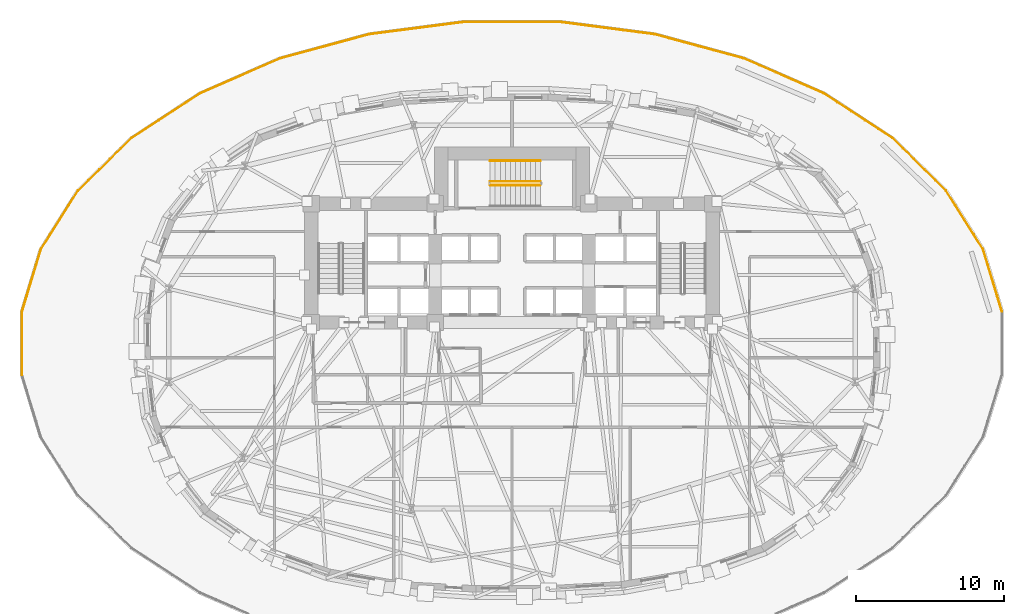
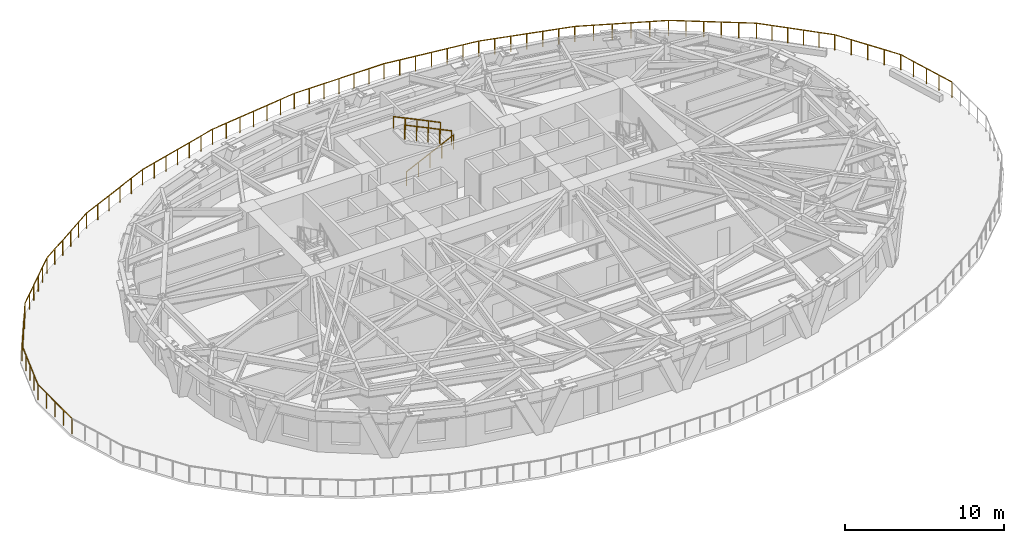
# One storey, part 12 of 14: 4 railings.
"""IFC4 building model written with IfcOpenShell, lengths in metres."""

from ifc_helpers import new_model, si_unit, direction, frame, origin, origin_2d, place, context, subcontext, project, spatial, circle, extrude, material, type_object, element, save


model = new_model("IFC4")

# Units and contexts
model_context = context("Model", 3, precision=1e-05, world=origin(), true_north=direction((0.0, 1.0)))
body_context = subcontext(model_context, "Body", "Model", "MODEL_VIEW")
ifc_project = project(units=[si_unit("LENGTHUNIT", "METRE"), si_unit("AREAUNIT", "SQUARE_METRE"), si_unit("VOLUMEUNIT", "CUBIC_METRE"), si_unit("PLANEANGLEUNIT", "RADIAN"), si_unit("MASSUNIT", "GRAM", prefix="KILO")], contexts=[model_context])

# Site, building, storey
site_placement = place(None, origin())
site = spatial("IfcSite", under=ifc_project, at=site_placement, CompositionType="ELEMENT")
building_placement = place(site_placement, origin())
building = spatial("IfcBuilding", under=site, at=building_placement, Name="Keldmark Tower", CompositionType="ELEMENT")
storey_placement = place(building_placement, frame((0.0, 0.0, 27.0)))
storey = spatial("IfcBuildingStorey", under=building, at=storey_placement, Name="L06", CompositionType="ELEMENT", Elevation=27.0)

# Railings
ifc_material_1 = material(Name="DuPont SentryGlas Laminated Glass and Stainless Posts", Category="glass")
railing_type_1 = type_object("IfcRailingType", Name="Heated Laminated Glass Wind-Baffle Guard 1200 mm", PredefinedType="GUARDRAIL", material=ifc_material_1)
railing_1_placement = place(storey_placement, frame((33.198974609375, 2.1474609375, 0.0)))
element("IfcRailing", 1, at=railing_1_placement, inside=storey, type_object=railing_type_1, Name="L06 Terrace Laminated Glass Wind-Baffle Guard POD-TERR 01", PredefinedType="GUARDRAIL", context=body_context, shape_type="SweptSolid", body=[
    extrude(circle(Radius=0.02392578125, at=origin_2d()), frame((0.0, 0.0, 1.17578125), z_axis=(-0.290552345418, 0.956859098599, 0.0), x_axis=(-0.956859098599, -0.290552345418, 0.0)), (0.0, 0.0, 1.0), 4.4013671875),
    extrude(circle(Radius=0.02392578125, at=origin_2d()), frame((-1.27880859375, 4.21142578125, 1.17578125), z_axis=(-0.534509744285, 0.845162311787, 0.0), x_axis=(-0.845162311787, -0.534509744285, 0.0)), (0.0, 0.0, 1.0), 4.69189453125),
    extrude(circle(Radius=0.02392578125, at=origin_2d()), frame((-3.78662109375, 8.1767578125, 1.17578125), z_axis=(-0.714280857762, 0.699859168858, 0.0), x_axis=(-0.699859168858, -0.714280857762, 0.0)), (0.0, 0.0, 1.0), 5.095458984375),
    extrude(circle(Radius=0.02392578125, at=origin_2d()), frame((-7.42626953125, 11.742919921875, 1.17578125), z_axis=(-0.83687942213, 0.547387278639, 0.0), x_axis=(-0.547387278639, -0.83687942213, 0.0)), (0.0, 0.0, 1.0), 5.5322265625),
    extrude(circle(Radius=0.02392578125, at=origin_2d()), frame((-12.05615234375, 14.771240234375, 1.17578125), z_axis=(-0.916451629486, 0.400145487057, 0.0), x_axis=(-0.400145487057, -0.916451629486, 0.0)), (0.0, 0.0, 1.0), 5.935302734375),
    extrude(circle(Radius=0.02392578125, at=origin_2d()), frame((-17.49560546875, 17.146240234375, 1.17578125), z_axis=(-0.96536126714, 0.260916890803, 0.0), x_axis=(-0.260916890803, -0.96536126714, 0.0)), (0.0, 0.0, 1.0), 6.254150390625),
    extrude(circle(Radius=0.02392578125, at=origin_2d()), frame((-23.533203125, 18.778076171875, 1.17578125), z_axis=(-0.991701524663, 0.128561603838, 0.0), x_axis=(-0.128561603838, -0.991701524663, 0.0)), (0.0, 0.0, 1.0), 6.45654296875),
    extrude(circle(Radius=0.02392578125, at=origin_2d()), frame((-29.936279296875, 19.608154296875, 1.17578125), z_axis=(-1.0, 0.0, 0.0), x_axis=(0.0, -1.0, 0.0)), (0.0, 0.0, 1.0), 6.525390625),
    extrude(circle(Radius=0.02392578125, at=origin_2d()), frame((-36.461669921875, 19.608154296875, 1.17578125), z_axis=(-0.991701524663, -0.128561603838, 0.0), x_axis=(0.128561603838, -0.991701524663, 0.0)), (0.0, 0.0, 1.0), 6.45654296875),
    extrude(circle(Radius=0.02392578125, at=origin_2d()), frame((-42.86474609375, 18.778076171875, 1.17578125), z_axis=(-0.96536126714, -0.260916890803, 0.0), x_axis=(0.260916890803, -0.96536126714, 0.0)), (0.0, 0.0, 1.0), 6.254150390625),
    extrude(circle(Radius=0.02392578125, at=origin_2d()), frame((-48.90234375, 17.146240234375, 1.17578125), z_axis=(-0.916451629486, -0.400145487057, 0.0), x_axis=(0.400145487057, -0.916451629486, 0.0)), (0.0, 0.0, 1.0), 5.935302734375),
    extrude(circle(Radius=0.02392578125, at=origin_2d()), frame((-54.341796875, 14.771240234375, 1.17578125), z_axis=(-0.83687942213, -0.547387278639, 0.0), x_axis=(0.547387278639, -0.83687942213, 0.0)), (0.0, 0.0, 1.0), 5.5322265625),
    extrude(circle(Radius=0.02392578125, at=origin_2d()), frame((-58.9716796875, 11.742919921875, 1.17578125), z_axis=(-0.714280857762, -0.699859168858, 0.0), x_axis=(0.699859168858, -0.714280857762, 0.0)), (0.0, 0.0, 1.0), 5.095458984375),
    extrude(circle(Radius=0.02392578125, at=origin_2d()), frame((-62.611328125, 8.1767578125, 1.17578125), z_axis=(-0.534509744285, -0.845162311787, 0.0), x_axis=(0.845162311787, -0.534509744285, 0.0)), (0.0, 0.0, 1.0), 4.69189453125),
    extrude(circle(Radius=0.02392578125, at=origin_2d()), frame((-65.119140625, 4.21142578125, 1.17578125), z_axis=(-0.290552345418, -0.956859098599, 0.0), x_axis=(0.956859098599, -0.290552345418, 0.0)), (0.0, 0.0, 1.0), 4.4013671875),
    extrude(circle(Radius=0.02392578125, at=origin_2d()), frame((-66.39794921875, 0.0, 1.17578125), z_axis=(0.0, -1.0, 0.0), x_axis=(1.0, 0.0, 0.0)), (0.0, 0.0, 1.0), 4.294921875),
    extrude(circle(Radius=0.02099609375, at=origin_2d()), origin(), (0.0, 0.0, 1.0), 1.15185546875),
    extrude(circle(Radius=0.02099609375, at=origin_2d()), frame((-0.31982421875, 1.052734375, 0.0)), (0.0, 0.0, 1.0), 1.15185546875),
    extrude(circle(Radius=0.02099609375, at=origin_2d()), frame((-0.639404296875, 2.105712890625, 0.0)), (0.0, 0.0, 1.0), 1.15185546875),
    extrude(circle(Radius=0.02099609375, at=origin_2d()), frame((-0.958984375, 3.15869140625, 0.0)), (0.0, 0.0, 1.0), 1.15185546875),
    extrude(circle(Radius=0.02099609375, at=origin_2d()), frame((-1.27880859375, 4.21142578125, 0.0)), (0.0, 0.0, 1.0), 1.15185546875),
    extrude(circle(Radius=0.02099609375, at=origin_2d()), frame((-1.90576171875, 5.20263671875, 0.0)), (0.0, 0.0, 1.0), 1.15185546875),
    extrude(circle(Radius=0.02099609375, at=origin_2d()), frame((-2.53271484375, 6.194091796875, 0.0)), (0.0, 0.0, 1.0), 1.15185546875),
    extrude(circle(Radius=0.02099609375, at=origin_2d()), frame((-3.15966796875, 7.185546875, 0.0)), (0.0, 0.0, 1.0), 1.15185546875),
    extrude(circle(Radius=0.02099609375, at=origin_2d()), frame((-3.78662109375, 8.1767578125, 0.0)), (0.0, 0.0, 1.0), 1.15185546875),
    extrude(circle(Radius=0.02099609375, at=origin_2d()), frame((-4.5146484375, 8.889892578125, 0.0)), (0.0, 0.0, 1.0), 1.15185546875),
    extrude(circle(Radius=0.02099609375, at=origin_2d()), frame((-5.242431640625, 9.603271484375, 0.0)), (0.0, 0.0, 1.0), 1.15185546875),
    extrude(circle(Radius=0.02099609375, at=origin_2d()), frame((-5.970458984375, 10.31640625, 0.0)), (0.0, 0.0, 1.0), 1.15185546875),
    extrude(circle(Radius=0.02099609375, at=origin_2d()), frame((-6.6982421875, 11.02978515625, 0.0)), (0.0, 0.0, 1.0), 1.15185546875),
    extrude(circle(Radius=0.02099609375, at=origin_2d()), frame((-7.42626953125, 11.742919921875, 0.0)), (0.0, 0.0, 1.0), 1.15185546875),
    extrude(circle(Radius=0.02099609375, at=origin_2d()), frame((-8.352294921875, 12.3486328125, 0.0)), (0.0, 0.0, 1.0), 1.15185546875),
    extrude(circle(Radius=0.02099609375, at=origin_2d()), frame((-9.2783203125, 12.954345703125, 0.0)), (0.0, 0.0, 1.0), 1.15185546875),
    extrude(circle(Radius=0.02099609375, at=origin_2d()), frame((-10.2041015625, 13.559814453125, 0.0)), (0.0, 0.0, 1.0), 1.15185546875),
    extrude(circle(Radius=0.02099609375, at=origin_2d()), frame((-11.130126953125, 14.16552734375, 0.0)), (0.0, 0.0, 1.0), 1.15185546875),
    extrude(circle(Radius=0.02099609375, at=origin_2d()), frame((-12.05615234375, 14.771240234375, 0.0)), (0.0, 0.0, 1.0), 1.15185546875),
    extrude(circle(Radius=0.02099609375, at=origin_2d()), frame((-13.14404296875, 15.246337890625, 0.0)), (0.0, 0.0, 1.0), 1.15185546875),
    extrude(circle(Radius=0.02099609375, at=origin_2d()), frame((-14.23193359375, 15.72119140625, 0.0)), (0.0, 0.0, 1.0), 1.15185546875),
    extrude(circle(Radius=0.02099609375, at=origin_2d()), frame((-15.31982421875, 16.1962890625, 0.0)), (0.0, 0.0, 1.0), 1.15185546875),
    extrude(circle(Radius=0.02099609375, at=origin_2d()), frame((-16.40771484375, 16.671142578125, 0.0)), (0.0, 0.0, 1.0), 1.15185546875),
    extrude(circle(Radius=0.02099609375, at=origin_2d()), frame((-17.49560546875, 17.146240234375, 0.0)), (0.0, 0.0, 1.0), 1.15185546875),
    extrude(circle(Radius=0.02099609375, at=origin_2d()), frame((-18.501953125, 17.418212890625, 0.0)), (0.0, 0.0, 1.0), 1.15185546875),
    extrude(circle(Radius=0.02099609375, at=origin_2d()), frame((-19.508056640625, 17.690185546875, 0.0)), (0.0, 0.0, 1.0), 1.15185546875),
    extrude(circle(Radius=0.02099609375, at=origin_2d()), frame((-20.514404296875, 17.962158203125, 0.0)), (0.0, 0.0, 1.0), 1.15185546875),
    extrude(circle(Radius=0.02099609375, at=origin_2d()), frame((-21.520751953125, 18.234130859375, 0.0)), (0.0, 0.0, 1.0), 1.15185546875),
    extrude(circle(Radius=0.02099609375, at=origin_2d()), frame((-22.52685546875, 18.506103515625, 0.0)), (0.0, 0.0, 1.0), 1.15185546875),
    extrude(circle(Radius=0.02099609375, at=origin_2d()), frame((-23.533203125, 18.778076171875, 0.0)), (0.0, 0.0, 1.0), 1.15185546875),
    extrude(circle(Radius=0.02099609375, at=origin_2d()), frame((-24.600341796875, 18.91650390625, 0.0)), (0.0, 0.0, 1.0), 1.15185546875),
    extrude(circle(Radius=0.02099609375, at=origin_2d()), frame((-25.66748046875, 19.0546875, 0.0)), (0.0, 0.0, 1.0), 1.15185546875),
    extrude(circle(Radius=0.02099609375, at=origin_2d()), frame((-26.73486328125, 19.193115234375, 0.0)), (0.0, 0.0, 1.0), 1.15185546875),
    extrude(circle(Radius=0.02099609375, at=origin_2d()), frame((-27.802001953125, 19.33154296875, 0.0)), (0.0, 0.0, 1.0), 1.15185546875),
    extrude(circle(Radius=0.02099609375, at=origin_2d()), frame((-28.869140625, 19.4697265625, 0.0)), (0.0, 0.0, 1.0), 1.15185546875),
    extrude(circle(Radius=0.02099609375, at=origin_2d()), frame((-29.936279296875, 19.608154296875, 0.0)), (0.0, 0.0, 1.0), 1.15185546875),
    extrude(circle(Radius=0.02099609375, at=origin_2d()), frame((-31.02392578125, 19.608154296875, 0.0)), (0.0, 0.0, 1.0), 1.15185546875),
    extrude(circle(Radius=0.02099609375, at=origin_2d()), frame((-32.111328125, 19.608154296875, 0.0)), (0.0, 0.0, 1.0), 1.15185546875),
    extrude(circle(Radius=0.02099609375, at=origin_2d()), frame((-33.198974609375, 19.608154296875, 0.0)), (0.0, 0.0, 1.0), 1.15185546875),
    extrude(circle(Radius=0.02099609375, at=origin_2d()), frame((-34.28662109375, 19.608154296875, 0.0)), (0.0, 0.0, 1.0), 1.15185546875),
    extrude(circle(Radius=0.02099609375, at=origin_2d()), frame((-35.3740234375, 19.608154296875, 0.0)), (0.0, 0.0, 1.0), 1.15185546875),
    extrude(circle(Radius=0.02099609375, at=origin_2d()), frame((-36.461669921875, 19.608154296875, 0.0)), (0.0, 0.0, 1.0), 1.15185546875),
    extrude(circle(Radius=0.02099609375, at=origin_2d()), frame((-37.52880859375, 19.4697265625, 0.0)), (0.0, 0.0, 1.0), 1.15185546875),
    extrude(circle(Radius=0.02099609375, at=origin_2d()), frame((-38.595947265625, 19.33154296875, 0.0)), (0.0, 0.0, 1.0), 1.15185546875),
    extrude(circle(Radius=0.02099609375, at=origin_2d()), frame((-39.6630859375, 19.193115234375, 0.0)), (0.0, 0.0, 1.0), 1.15185546875),
    extrude(circle(Radius=0.02099609375, at=origin_2d()), frame((-40.73046875, 19.0546875, 0.0)), (0.0, 0.0, 1.0), 1.15185546875),
    extrude(circle(Radius=0.02099609375, at=origin_2d()), frame((-41.797607421875, 18.91650390625, 0.0)), (0.0, 0.0, 1.0), 1.15185546875),
    extrude(circle(Radius=0.02099609375, at=origin_2d()), frame((-42.86474609375, 18.778076171875, 0.0)), (0.0, 0.0, 1.0), 1.15185546875),
    extrude(circle(Radius=0.02099609375, at=origin_2d()), frame((-43.87109375, 18.506103515625, 0.0)), (0.0, 0.0, 1.0), 1.15185546875),
    extrude(circle(Radius=0.02099609375, at=origin_2d()), frame((-44.877197265625, 18.234130859375, 0.0)), (0.0, 0.0, 1.0), 1.15185546875),
    extrude(circle(Radius=0.02099609375, at=origin_2d()), frame((-45.883544921875, 17.962158203125, 0.0)), (0.0, 0.0, 1.0), 1.15185546875),
    extrude(circle(Radius=0.02099609375, at=origin_2d()), frame((-46.889892578125, 17.690185546875, 0.0)), (0.0, 0.0, 1.0), 1.15185546875),
    extrude(circle(Radius=0.02099609375, at=origin_2d()), frame((-47.89599609375, 17.418212890625, 0.0)), (0.0, 0.0, 1.0), 1.15185546875),
    extrude(circle(Radius=0.02099609375, at=origin_2d()), frame((-48.90234375, 17.146240234375, 0.0)), (0.0, 0.0, 1.0), 1.15185546875),
    extrude(circle(Radius=0.02099609375, at=origin_2d()), frame((-49.990234375, 16.671142578125, 0.0)), (0.0, 0.0, 1.0), 1.15185546875),
    extrude(circle(Radius=0.02099609375, at=origin_2d()), frame((-51.078125, 16.1962890625, 0.0)), (0.0, 0.0, 1.0), 1.15185546875),
    extrude(circle(Radius=0.02099609375, at=origin_2d()), frame((-52.166015625, 15.72119140625, 0.0)), (0.0, 0.0, 1.0), 1.15185546875),
    extrude(circle(Radius=0.02099609375, at=origin_2d()), frame((-53.25390625, 15.246337890625, 0.0)), (0.0, 0.0, 1.0), 1.15185546875),
    extrude(circle(Radius=0.02099609375, at=origin_2d()), frame((-54.341796875, 14.771240234375, 0.0)), (0.0, 0.0, 1.0), 1.15185546875),
    extrude(circle(Radius=0.02099609375, at=origin_2d()), frame((-55.267822265625, 14.16552734375, 0.0)), (0.0, 0.0, 1.0), 1.15185546875),
    extrude(circle(Radius=0.02099609375, at=origin_2d()), frame((-56.19384765625, 13.559814453125, 0.0)), (0.0, 0.0, 1.0), 1.15185546875),
    extrude(circle(Radius=0.02099609375, at=origin_2d()), frame((-57.11962890625, 12.954345703125, 0.0)), (0.0, 0.0, 1.0), 1.15185546875),
    extrude(circle(Radius=0.02099609375, at=origin_2d()), frame((-58.045654296875, 12.3486328125, 0.0)), (0.0, 0.0, 1.0), 1.15185546875),
    extrude(circle(Radius=0.02099609375, at=origin_2d()), frame((-58.9716796875, 11.742919921875, 0.0)), (0.0, 0.0, 1.0), 1.15185546875),
    extrude(circle(Radius=0.02099609375, at=origin_2d()), frame((-59.69970703125, 11.02978515625, 0.0)), (0.0, 0.0, 1.0), 1.15185546875),
    extrude(circle(Radius=0.02099609375, at=origin_2d()), frame((-60.427490234375, 10.31640625, 0.0)), (0.0, 0.0, 1.0), 1.15185546875),
    extrude(circle(Radius=0.02099609375, at=origin_2d()), frame((-61.155517578125, 9.603271484375, 0.0)), (0.0, 0.0, 1.0), 1.15185546875),
    extrude(circle(Radius=0.02099609375, at=origin_2d()), frame((-61.88330078125, 8.889892578125, 0.0)), (0.0, 0.0, 1.0), 1.15185546875),
    extrude(circle(Radius=0.02099609375, at=origin_2d()), frame((-62.611328125, 8.1767578125, 0.0)), (0.0, 0.0, 1.0), 1.15185546875),
    extrude(circle(Radius=0.02099609375, at=origin_2d()), frame((-63.23828125, 7.185546875, 0.0)), (0.0, 0.0, 1.0), 1.15185546875),
    extrude(circle(Radius=0.02099609375, at=origin_2d()), frame((-63.865234375, 6.194091796875, 0.0)), (0.0, 0.0, 1.0), 1.15185546875),
    extrude(circle(Radius=0.02099609375, at=origin_2d()), frame((-64.4921875, 5.20263671875, 0.0)), (0.0, 0.0, 1.0), 1.15185546875),
    extrude(circle(Radius=0.02099609375, at=origin_2d()), frame((-65.119140625, 4.21142578125, 0.0)), (0.0, 0.0, 1.0), 1.15185546875),
    extrude(circle(Radius=0.02099609375, at=origin_2d()), frame((-65.43896484375, 3.15869140625, 0.0)), (0.0, 0.0, 1.0), 1.15185546875),
    extrude(circle(Radius=0.02099609375, at=origin_2d()), frame((-65.758544921875, 2.105712890625, 0.0)), (0.0, 0.0, 1.0), 1.15185546875),
    extrude(circle(Radius=0.02099609375, at=origin_2d()), frame((-66.078125, 1.052734375, 0.0)), (0.0, 0.0, 1.0), 1.15185546875),
    extrude(circle(Radius=0.02099609375, at=origin_2d()), frame((-66.39794921875, 0.0, 0.0)), (0.0, 0.0, 1.0), 1.15185546875),
    extrude(circle(Radius=0.02099609375, at=origin_2d()), frame((-66.39794921875, -1.07373046875, 0.0)), (0.0, 0.0, 1.0), 1.15185546875),
    extrude(circle(Radius=0.02099609375, at=origin_2d()), frame((-66.39794921875, -2.1474609375, 0.0)), (0.0, 0.0, 1.0), 1.15185546875),
    extrude(circle(Radius=0.02099609375, at=origin_2d()), frame((-66.39794921875, -3.22119140625, 0.0)), (0.0, 0.0, 1.0), 1.15185546875),
    extrude(circle(Radius=0.02099609375, at=origin_2d()), frame((-66.39794921875, -4.294921875, 0.0)), (0.0, 0.0, 1.0), 1.15185546875),
])
ifc_material_2 = material(Name="Painted Steel ASTM A500 Grade B", Category="steel")
railing_type_2 = type_object("IfcRailingType", Name="Painted Steel Stair Well Guard 1100 mm", PredefinedType="GUARDRAIL", material=ifc_material_2)
railing_2_placement = place(storey_placement, frame((-1.47509765625, 10.699951171875, 0.16357421875)))
element("IfcRailing", 2, at=railing_2_placement, inside=storey, type_object=railing_type_2, Name="L06 ST3 stair guard 1", PredefinedType="GUARDRAIL", context=body_context, shape_type="SweptSolid", body=[
    extrude(circle(Radius=0.02392578125, at=origin_2d()), frame((0.0, 0.0, 1.076171875), z_axis=(0.901067223353, 0.0, 0.433679442675), x_axis=(0.0, 1.0, 0.0)), (0.0, 0.0, 1.0), 3.7734375),
    extrude(circle(Radius=0.02099609375, at=origin_2d()), origin(), (0.0, 0.0, 1.0), 1.052001953125),
    extrude(circle(Radius=0.02099609375, at=origin_2d()), frame((0.85009765625, 0.0, 0.4091796875)), (0.0, 0.0, 1.0), 1.052001953125),
    extrude(circle(Radius=0.02099609375, at=origin_2d()), frame((1.7001953125, 0.0, 0.818359375)), (0.0, 0.0, 1.0), 1.052001953125),
    extrude(circle(Radius=0.02099609375, at=origin_2d()), frame((2.550048828125, 0.0, 1.227294921875)), (0.0, 0.0, 1.0), 1.052001953125),
    extrude(circle(Radius=0.02099609375, at=origin_2d()), frame((3.400146484375, 0.0, 1.636474609375)), (0.0, 0.0, 1.0), 1.052001953125),
])
railing_3_placement = place(storey_placement, frame((1.925048828125, 10.949951171875, 1.963623046875)))
element("IfcRailing", 3, at=railing_3_placement, inside=storey, type_object=railing_type_2, Name="L06 ST3 stair guard 3", PredefinedType="GUARDRAIL", context=body_context, shape_type="SweptSolid", body=[
    extrude(circle(Radius=0.02392578125, at=origin_2d()), frame((0.0, 0.0, 1.076171875), z_axis=(-0.901067223353, 0.0, 0.433679442675), x_axis=(0.0, -1.0, 0.0)), (0.0, 0.0, 1.0), 3.7734375),
    extrude(circle(Radius=0.02099609375, at=origin_2d()), origin(), (0.0, 0.0, 1.0), 1.052001953125),
    extrude(circle(Radius=0.02099609375, at=origin_2d()), frame((-0.85009765625, 0.0, 0.4091796875)), (0.0, 0.0, 1.0), 1.052001953125),
    extrude(circle(Radius=0.02099609375, at=origin_2d()), frame((-1.7001953125, 0.0, 0.818359375)), (0.0, 0.0, 1.0), 1.052001953125),
    extrude(circle(Radius=0.02099609375, at=origin_2d()), frame((-2.550048828125, 0.0, 1.227294921875)), (0.0, 0.0, 1.0), 1.052001953125),
    extrude(circle(Radius=0.02099609375, at=origin_2d()), frame((-3.400146484375, 0.0, 1.636474609375)), (0.0, 0.0, 1.0), 1.052001953125),
])
ifc_material_3 = material(Name="Stainless Steel AISI 316L", Category="steel")
railing_type_3 = type_object("IfcRailingType", Name="Stainless Steel Stair Handrail 900 mm", PredefinedType="HANDRAIL", material=ifc_material_3)
railing_4_placement = place(storey_placement, frame((1.925048828125, 12.35009765625, 1.963623046875)))
element("IfcRailing", 4, at=railing_4_placement, inside=storey, type_object=railing_type_3, Name="L06 ST3 stair handrail 2", PredefinedType="HANDRAIL", context=body_context, shape_type="SweptSolid", body=[
    extrude(circle(Radius=0.02392578125, at=origin_2d()), frame((0.0, 0.0, 0.8759765625), z_axis=(-0.901067223353, 0.0, 0.433679442675), x_axis=(0.0, -1.0, 0.0)), (0.0, 0.0, 1.0), 3.7734375),
    extrude(circle(Radius=0.02099609375, at=origin_2d()), origin(), (0.0, 0.0, 1.0), 0.851806640625),
    extrude(circle(Radius=0.02099609375, at=origin_2d()), frame((-0.85009765625, 0.0, 0.4091796875)), (0.0, 0.0, 1.0), 0.851806640625),
    extrude(circle(Radius=0.02099609375, at=origin_2d()), frame((-1.7001953125, 0.0, 0.818359375)), (0.0, 0.0, 1.0), 0.851806640625),
    extrude(circle(Radius=0.02099609375, at=origin_2d()), frame((-2.550048828125, 0.0, 1.227294921875)), (0.0, 0.0, 1.0), 0.851806640625),
    extrude(circle(Radius=0.02099609375, at=origin_2d()), frame((-3.400146484375, 0.0, 1.636474609375)), (0.0, 0.0, 1.0), 0.851806640625),
])

save(model, "model.ifc")
